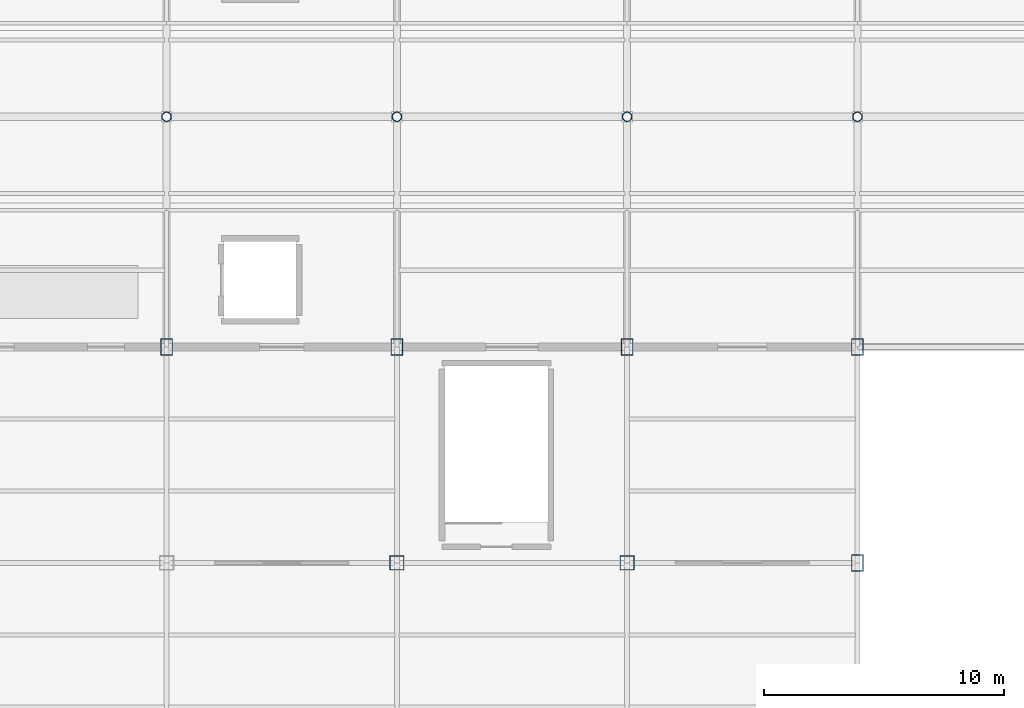
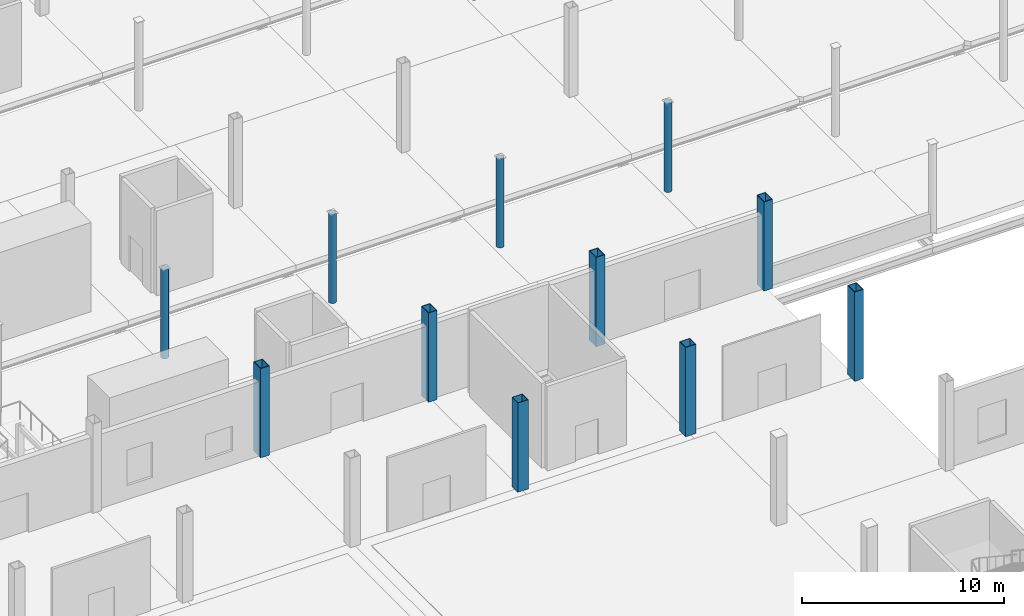
# One storey, part 13 of 85: 11 columns.
"""IFC4 building model written with IfcOpenShell, lengths in metres."""

from ifc_helpers import new_model, si_unit, direction, frame, origin, origin_2d, place, context, subcontext, project, spatial, hollow_rectangle, hollow_circle, extrude, material, material_profile, profile_set, type_object, element, save


model = new_model("IFC4")

# Units and contexts
model_context = context("Model", 3, precision=1e-05, world=origin(), true_north=direction((0.0, 1.0)))
body_context = subcontext(model_context, "Body", "Model", "MODEL_VIEW")
ifc_project = project(units=[si_unit("LENGTHUNIT", "METRE"), si_unit("AREAUNIT", "SQUARE_METRE"), si_unit("VOLUMEUNIT", "CUBIC_METRE"), si_unit("PLANEANGLEUNIT", "RADIAN"), si_unit("MASSUNIT", "GRAM", prefix="KILO")], contexts=[model_context])

# Site, building, storey
site_placement = place(None, origin())
site = spatial("IfcSite", under=ifc_project, at=site_placement, CompositionType="ELEMENT")
building_placement = place(site_placement, origin())
building = spatial("IfcBuilding", under=site, at=building_placement, Name="Zarnetskaya Central Station", CompositionType="ELEMENT")
storey_placement = place(building_placement, origin())
storey = spatial("IfcBuildingStorey", under=building, at=storey_placement, Name="L00", CompositionType="ELEMENT", Elevation=0.0)

# Columns
ifc_material = material(Name="Steel S355", Category="steel")
ifc_material_profile_1 = material_profile(ifc_material, hollow_circle(Radius=0.203125, WallThickness=0.02001953125, at=origin_2d()), Name="CHS 406.4x20")
ifc_profile_set_1 = profile_set([ifc_material_profile_1], Name="Steel S355")
column_type_1 = type_object("IfcColumnType", Name="COL-V1-PCAN", PredefinedType="COLUMN", material=ifc_profile_set_1)
for number, where, z_axis, x_axis, name in (
    (1, (96.0, 76.800048828125, 0.0), (0.0, 0.0, 1.0), (1.0, 0.0, 0.0), "Column L10 L00"),
    (2, (105.60009765625, 76.800048828125, 0.0), (0.0, 0.0, 1.0), (1.0, 0.0, 0.0), "Column M10 L00"),
    (3, (115.199951171875, 76.800048828125, 0.0), (0.0, 0.0, 1.0), (1.0, 0.0, 0.0), "Column N10 L00"),
    (4, (124.800048828125, 76.800048828125, 0.0), (0.0, 0.0, 1.0), (1.0, 0.0, 0.0), "Column P10 L00"),
):
    element("IfcColumn", number, at=place(storey_placement, frame(where, z_axis=z_axis, x_axis=x_axis)), inside=storey, type_object=column_type_1, Name=name, PredefinedType="COLUMN", context=body_context, shape_type="SweptSolid", body=[
        extrude(hollow_circle(Radius=0.203125, WallThickness=0.02001953125, at=origin_2d()), origin(), (0.0, 0.0, 1.0), 5.387939453125),
    ])
ifc_material_profile_2 = material_profile(ifc_material, hollow_rectangle(XDim=0.5, YDim=0.699951171875, WallThickness=0.031982421875, at=origin_2d()), Name="BOX 700x500x32")
ifc_profile_set_2 = profile_set([ifc_material_profile_2], Name="Steel S355")
column_type_2 = type_object("IfcColumnType", Name="COL-V2-HALL", PredefinedType="COLUMN", material=ifc_profile_set_2)
for number, where, z_axis, x_axis, name in (
    (5, (96.0, 67.199951171875, 0.0), (0.0, 0.0, 1.0), (1.0, 0.0, 0.0), "Column L9 L00"),
    (6, (105.60009765625, 67.199951171875, 0.0), (0.0, 0.0, 1.0), (1.0, 0.0, 0.0), "Column M9 L00"),
    (7, (115.199951171875, 67.199951171875, 0.0), (0.0, 0.0, 1.0), (1.0, 0.0, 0.0), "Column N9 L00"),
    (8, (124.800048828125, 58.199951171875, 0.0), (0.0, 0.0, 1.0), (1.0, 0.0, 0.0), "Column P8 L00"),
    (9, (124.800048828125, 67.199951171875, 0.0), (0.0, 0.0, 1.0), (1.0, 0.0, 0.0), "Column P9 L00"),
):
    element("IfcColumn", number, at=place(storey_placement, frame(where, z_axis=z_axis, x_axis=x_axis)), inside=storey, type_object=column_type_2, Name=name, PredefinedType="COLUMN", context=body_context, shape_type="SweptSolid", body=[
        extrude(hollow_rectangle(XDim=0.5, YDim=0.699951171875, WallThickness=0.031982421875, at=origin_2d()), origin(), (0.0, 0.0, 1.0), 5.39990234375),
    ])
ifc_material_profile_3 = material_profile(ifc_material, hollow_rectangle(XDim=0.60009765625, YDim=0.60009765625, WallThickness=0.030029296875, at=origin_2d()), Name="BOX 600x600x30")
ifc_profile_set_3 = profile_set([ifc_material_profile_3], Name="Steel S355")
column_type_3 = type_object("IfcColumnType", Name="COL-V2-INT", PredefinedType="COLUMN", material=ifc_profile_set_3)
for number, where, z_axis, x_axis, name in (
    (10, (105.60009765625, 58.199951171875, 0.0), (0.0, 0.0, 1.0), (1.0, 0.0, 0.0), "Column M8 L00"),
    (11, (115.199951171875, 58.199951171875, 0.0), (0.0, 0.0, 1.0), (1.0, 0.0, 0.0), "Column N8 L00"),
):
    element("IfcColumn", number, at=place(storey_placement, frame(where, z_axis=z_axis, x_axis=x_axis)), inside=storey, type_object=column_type_3, Name=name, PredefinedType="COLUMN", context=body_context, shape_type="SweptSolid", body=[
        extrude(hollow_rectangle(XDim=0.60009765625, YDim=0.60009765625, WallThickness=0.030029296875, at=origin_2d()), origin(), (0.0, 0.0, 1.0), 5.39990234375),
    ])

save(model, "model.ifc")
